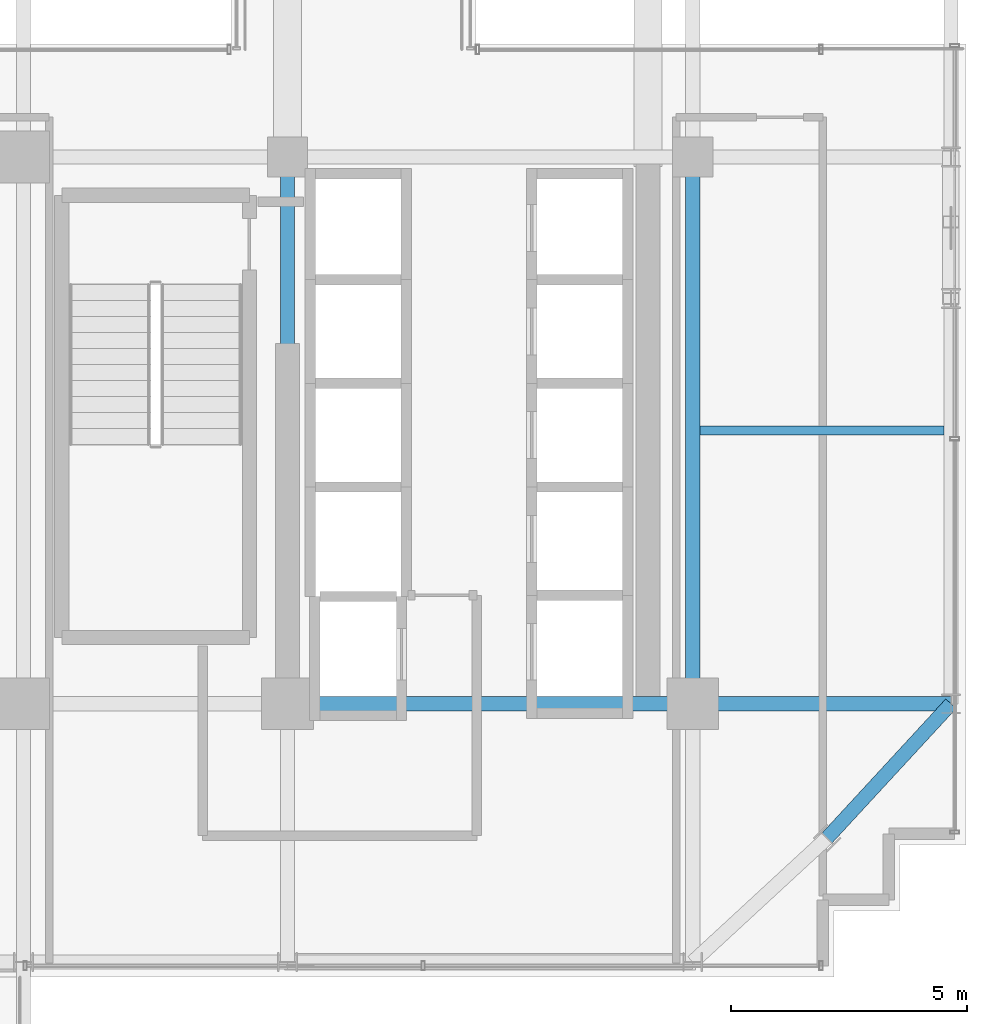
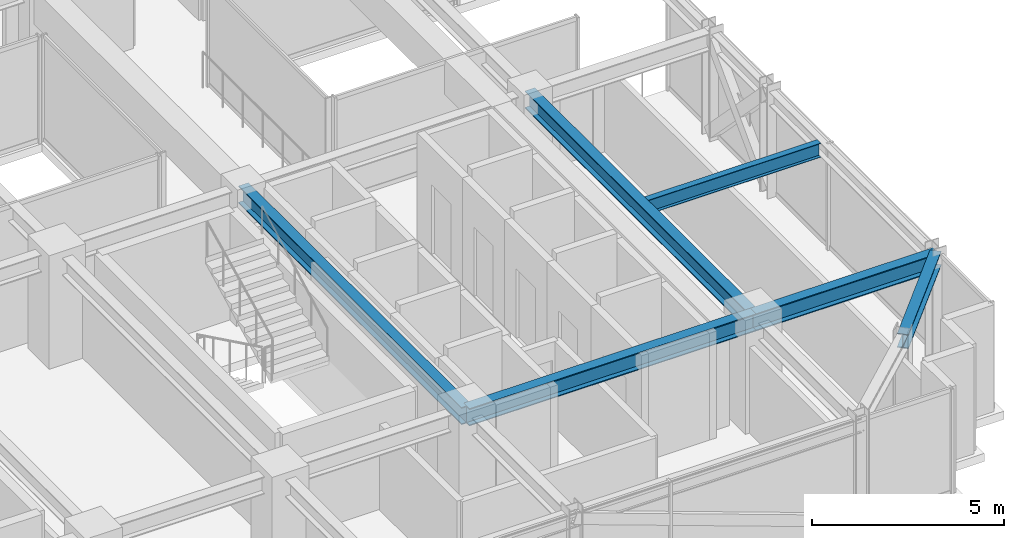
# One storey, part 13 of 35: 6 beams.
"""IFC4 building model written with IfcOpenShell, lengths in metres."""

from ifc_helpers import new_model, si_unit, direction, frame, origin, origin_2d, place, context, subcontext, project, spatial, i_section, extrude, source, transform, mapped, material, material_profile, profile_set, type_object, element, save


model = new_model("IFC4")

# Units and contexts
model_context = context("Model", 3, precision=1e-05, world=origin(), true_north=direction((0.0, 1.0)))
body_context = subcontext(model_context, "Body", "Model", "MODEL_VIEW")
ifc_project = project(units=[si_unit("LENGTHUNIT", "METRE"), si_unit("AREAUNIT", "SQUARE_METRE"), si_unit("VOLUMEUNIT", "CUBIC_METRE"), si_unit("PLANEANGLEUNIT", "RADIAN"), si_unit("MASSUNIT", "GRAM", prefix="KILO")], contexts=[model_context])

# Site, building, storey
site_placement = place(None, origin())
site = spatial("IfcSite", under=ifc_project, at=site_placement, CompositionType="ELEMENT")
building_placement = place(site_placement, origin())
building = spatial("IfcBuilding", under=site, at=building_placement, Name="Nahalor Promenade Grand Hotel", CompositionType="ELEMENT")
storey_placement = place(building_placement, frame((0.0, 0.0, 185.5)))
storey = spatial("IfcBuildingStorey", under=building, at=storey_placement, Name="L47", CompositionType="ELEMENT", Elevation=185.5)

# Beams
ifc_material = material(Name="Steel S355JR", Category="steel")
ifc_material_profile_1 = material_profile(ifc_material, i_section(OverallWidth=0.3, OverallDepth=0.55, WebThickness=0.015, FlangeThickness=0.029, at=origin_2d()), Name="HEB 550")
ifc_profile_set_1 = profile_set([ifc_material_profile_1], Name="Steel S355JR")
beam_type_1 = type_object("IfcBeamType", Name="Beam-Girder-HEB550", PredefinedType="BEAM", material=ifc_profile_set_1)
shared_shape_1 = source(origin(), body_context, "Body", "SweptSolid", [
    extrude(i_section(OverallWidth=0.3, OverallDepth=0.55, WebThickness=0.015, FlangeThickness=0.029, at=origin_2d()), origin(), (0.0, 0.0, 1.0), 8.60009765625),
])
beam_1_placement = place(storey_placement, frame((8.39990234375, -17.0, 3.114990234375), z_axis=(1.0, 0.0, 0.0), x_axis=(0.0, 1.0, 0.0)))
element("IfcBeam", 1, at=beam_1_placement, inside=storey, type_object=beam_type_1, Name="BM-L47-GX-0-5", PredefinedType="BEAM", context=body_context, shape_type="MappedRepresentation", body=[
    mapped(shared_shape_1, transform((0.0, 0.0, 0.0), scale=1.0)),
])
shared_shape_2 = source(origin(), body_context, "Body", "SweptSolid", [
    extrude(i_section(OverallWidth=0.3, OverallDepth=0.55, WebThickness=0.015, FlangeThickness=0.029, at=origin_2d()), origin(), (0.0, 0.0, 1.0), 11.60009765625),
])
for number, where, z_axis, x_axis, name in (
    (2, (8.39990234375, -17.0, 3.114990234375), (0.0, 1.0, 0.0), (-1.0, 0.0, 0.0), "BM-L47-GY-4-1"),
    (3, (17.0, -17.0, 3.114990234375), (0.0, 1.0, 0.0), (-1.0, 0.0, 0.0), "BM-L47-GY-5-1"),
):
    element("IfcBeam", number, at=place(storey_placement, frame(where, z_axis=z_axis, x_axis=x_axis)), inside=storey, type_object=beam_type_1, Name=name, PredefinedType="BEAM", context=body_context, shape_type="MappedRepresentation", body=[
        mapped(shared_shape_2, transform((0.0, 0.0, 0.0), scale=1.0)),
    ])
shared_shape_3 = source(origin(), body_context, "Body", "SweptSolid", [
    extrude(i_section(OverallWidth=0.3, OverallDepth=0.55, WebThickness=0.015, FlangeThickness=0.029, at=origin_2d()), origin(), (0.0, 0.0, 1.0), 5.47998046875),
])
beam_2_placement = place(storey_placement, frame((17.0, -17.0, 3.114990234375), z_axis=(1.0, 0.0, 0.0), x_axis=(0.0, 1.0, 0.0)))
element("IfcBeam", 4, at=beam_2_placement, inside=storey, type_object=beam_type_1, Name="BM-L47-GX-0-6", PredefinedType="BEAM", context=body_context, shape_type="MappedRepresentation", body=[
    mapped(shared_shape_3, transform((0.0, 0.0, 0.0), scale=1.0)),
])
ifc_material_profile_2 = material_profile(ifc_material, i_section(OverallWidth=0.19, OverallDepth=0.45, WebThickness=0.0094, FlangeThickness=0.0146, at=origin_2d()), Name="IPE 450")
ifc_profile_set_2 = profile_set([ifc_material_profile_2], Name="Steel S355JR")
beam_type_2 = type_object("IfcBeamType", Name="Beam-Joist-IPE450", PredefinedType="JOIST", material=ifc_profile_set_2)
shared_shape_4 = source(origin(), body_context, "Body", "SweptSolid", [
    extrude(i_section(OverallWidth=0.19, OverallDepth=0.45, WebThickness=0.0094, FlangeThickness=0.0146, at=origin_2d()), origin(), (0.0, 0.0, 1.0), 5.18017578125),
])
beam_3_placement = place(storey_placement, frame((17.14990234375, -11.199951171875, 3.1650390625), z_axis=(1.0, 0.0, 0.0), x_axis=(0.0, 1.0, 0.0)))
element("IfcBeam", 5, at=beam_3_placement, inside=storey, type_object=beam_type_2, Name="BM-L47-JSE-0-2", PredefinedType="JOIST", context=body_context, shape_type="MappedRepresentation", body=[
    mapped(shared_shape_4, transform((0.0, 0.0, 0.0), scale=1.0)),
])
ifc_material_profile_3 = material_profile(ifc_material, i_section(OverallWidth=0.3, OverallDepth=0.45, WebThickness=0.014, FlangeThickness=0.026, at=origin_2d()), Name="HEB 450")
ifc_profile_set_3 = profile_set([ifc_material_profile_3], Name="Steel S355JR")
beam_type_3 = type_object("IfcBeamType", Name="Beam-Spandrel-HEB450", PredefinedType="SPANDREL", material=ifc_profile_set_3)
shared_shape_5 = source(origin(), body_context, "Body", "SweptSolid", [
    extrude(i_section(OverallWidth=0.3, OverallDepth=0.45, WebThickness=0.014, FlangeThickness=0.026, at=origin_2d()), origin(), (0.0, 0.0, 1.0), 3.878173828125),
])
beam_4_placement = place(storey_placement, frame((19.85009765625, -19.85009765625, 3.1650390625), z_axis=(0.678144125843, 0.73492893846, 0.0), x_axis=(-0.73492893846, 0.678144125843, 0.0)))
element("IfcBeam", 6, at=beam_4_placement, inside=storey, type_object=beam_type_3, Name="BM-L47-SPC-SE-2", PredefinedType="SPANDREL", context=body_context, shape_type="MappedRepresentation", body=[
    mapped(shared_shape_5, transform((0.0, 0.0, 0.0), scale=1.0)),
])

save(model, "model.ifc")
